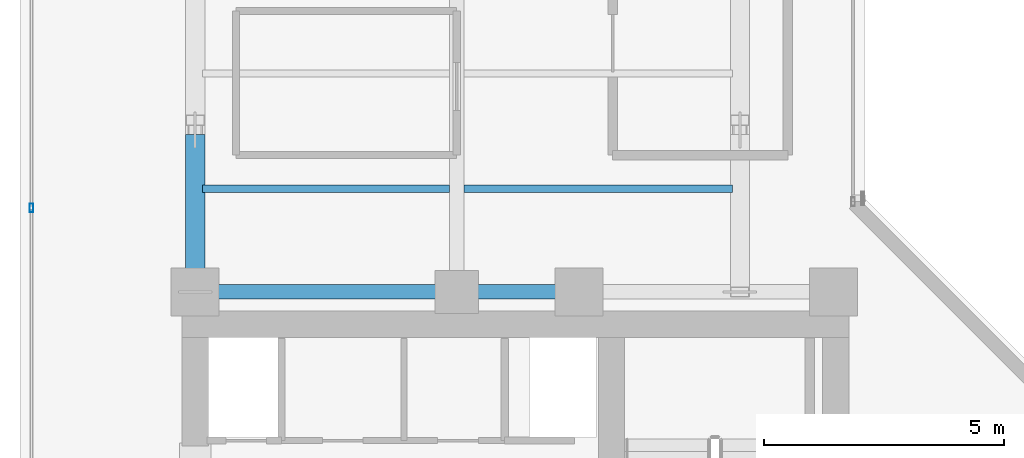
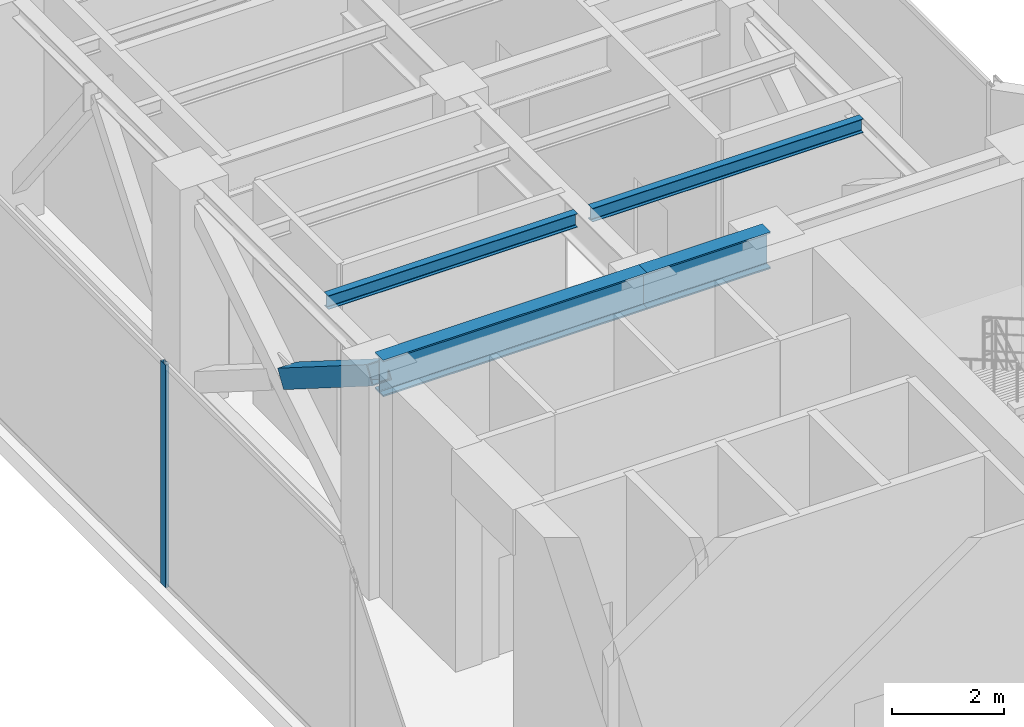
# One storey, part 9 of 31: 4 beams, 2 members, 1 element without a shape of its own.
"""IFC4 building model written with IfcOpenShell, lengths in metres."""

from ifc_helpers import new_model, si_unit, direction, frame, origin, origin_with_axes, origin_2d, place, context, subcontext, project, spatial, hollow_rectangle, i_section, extrude, source, transform, mapped, material, layer, layer_set, material_profile, profile_set, type_object, element, aggregate, save


model = new_model("IFC4")

# Units and contexts
model_context = context("Model", 3, precision=1e-05, world=origin(), true_north=direction((0.0, 1.0)))
body_context = subcontext(model_context, "Body", "Model", "MODEL_VIEW")
ifc_project = project(units=[si_unit("LENGTHUNIT", "METRE"), si_unit("AREAUNIT", "SQUARE_METRE"), si_unit("VOLUMEUNIT", "CUBIC_METRE"), si_unit("PLANEANGLEUNIT", "RADIAN"), si_unit("MASSUNIT", "GRAM", prefix="KILO")], contexts=[model_context])

# Site, building, storey
site_placement = place(None, origin())
site = spatial("IfcSite", under=ifc_project, at=site_placement, CompositionType="ELEMENT")
building_placement = place(site_placement, origin())
building = spatial("IfcBuilding", under=site, at=building_placement, Name="Kolvaren Waterfront Exchange", CompositionType="ELEMENT")
storey_placement = place(building_placement, frame((0.0, 0.0, 257.699951171875)))
storey = spatial("IfcBuildingStorey", under=building, at=storey_placement, Name="L66", CompositionType="ELEMENT", Elevation=257.699951171875)

# Beams
ifc_material_1 = material(Name="Steel S355", Category="steel")
ifc_material_profile_1 = material_profile(ifc_material_1, i_section(OverallWidth=0.300048828125, OverallDepth=0.800048828125, WebThickness=0.017578125, FlangeThickness=0.032958984375, FilletRadius=0.030029296875, at=origin_2d()), Name="HEB800")
ifc_profile_set_1 = profile_set([ifc_material_profile_1], Name="Steel S355")
beam_type_1 = type_object("IfcBeamType", Name="STR-BM-HEB800", PredefinedType="BEAM", material=ifc_profile_set_1)
beam_1_placement = place(storey_placement, frame((7.449951171875, 24.449951171875, 4.4599609375), z_axis=(1.0, 0.0, 0.0), x_axis=(0.0, 1.0, 0.0)))
element("IfcBeam", 1, at=beam_1_placement, inside=storey, type_object=beam_type_1, Name="L66 north-arm girder 1A", PredefinedType="BEAM", context=body_context, shape_type="SweptSolid", body=[
    extrude(i_section(OverallWidth=0.300048828125, OverallDepth=0.800048828125, WebThickness=0.017578125, FlangeThickness=0.032958984375, FilletRadius=0.030029296875, at=origin_2d()), origin(), (0.0, 0.0, 1.0), 5.449951171875),
])
beam_2_placement = place(storey_placement, frame((12.89990234375, 24.449951171875, 4.4599609375), z_axis=(1.0, 0.0, 0.0), x_axis=(0.0, 1.0, 0.0)))
element("IfcBeam", 2, at=beam_2_placement, inside=storey, type_object=beam_type_1, Name="L66 north-arm girder 1B", PredefinedType="BEAM", context=body_context, shape_type="SweptSolid", body=[
    extrude(i_section(OverallWidth=0.300048828125, OverallDepth=0.800048828125, WebThickness=0.017578125, FlangeThickness=0.032958984375, FilletRadius=0.030029296875, at=origin_2d()), origin(), (0.0, 0.0, 1.0), 2.550048828125),
])
ifc_material_profile_2 = material_profile(ifc_material_1, i_section(OverallWidth=0.14990234375, OverallDepth=0.300048828125, WebThickness=0.007080078125, FlangeThickness=0.0107421875, FilletRadius=0.014892578125, at=origin_2d()), Name="IPE300")
ifc_profile_set_2 = profile_set([ifc_material_profile_2], Name="Steel S355")
beam_type_2 = type_object("IfcBeamType", Name="STR-BM-IPE300", PredefinedType="JOIST", material=ifc_profile_set_2)
beam_3_placement = place(storey_placement, frame((7.60205078125, 26.60009765625, 4.7099609375), z_axis=(1.0, 0.0, 0.0), x_axis=(0.0, 1.0, 0.0)))
element("IfcBeam", 3, at=beam_3_placement, inside=storey, type_object=beam_type_2, Name="L66 north-arm composite joist 1A", PredefinedType="JOIST", context=body_context, shape_type="SweptSolid", body=[
    extrude(i_section(OverallWidth=0.14990234375, OverallDepth=0.300048828125, WebThickness=0.007080078125, FlangeThickness=0.0107421875, FilletRadius=0.014892578125, at=origin_2d()), origin(), (0.0, 0.0, 1.0), 5.14599609375),
])
beam_4_placement = place(storey_placement, frame((13.052001953125, 26.60009765625, 4.7099609375), z_axis=(1.0, 0.0, 0.0), x_axis=(0.0, 1.0, 0.0)))
element("IfcBeam", 4, at=beam_4_placement, inside=storey, type_object=beam_type_2, Name="L66 north-arm composite joist 1B", PredefinedType="JOIST", context=body_context, shape_type="SweptSolid", body=[
    extrude(i_section(OverallWidth=0.14990234375, OverallDepth=0.300048828125, WebThickness=0.007080078125, FlangeThickness=0.0107421875, FilletRadius=0.014892578125, at=origin_2d()), origin(), (0.0, 0.0, 1.0), 5.595947265625),
])

# Member
ifc_material_2 = material(Name="Steel S460", Category="steel")
ifc_material_profile_3 = material_profile(ifc_material_2, hollow_rectangle(XDim=0.39990234375, YDim=0.39990234375, WallThickness=0.02001953125, at=origin_2d()), Name="SHS400x400x20")
ifc_profile_set_3 = profile_set([ifc_material_profile_3], Name="Steel S460")
member_type_1 = type_object("IfcMemberType", Name="STR-BR-SHS400", PredefinedType="BRACE", material=ifc_profile_set_3)
member_1_placement = place(storey_placement, frame((7.449951171875, 27.6220703125, 2.508056640625), z_axis=(0.0, -0.845668261927, 0.533708900778), x_axis=(1.0, 0.0, 0.0)))
element("IfcMember", 5, at=member_1_placement, inside=storey, type_object=member_type_1, Name="L66 outrigger split diagonal OA3.2B", PredefinedType="BRACE", context=body_context, shape_type="SweptSolid", body=[
    extrude(hollow_rectangle(XDim=0.39990234375, YDim=0.39990234375, WallThickness=0.02001953125, at=origin_2d()), origin(), (0.0, 0.0, 1.0), 3.7509765625),
])

# Curtain wall, member
ifc_material_3 = material(Name="Anodised dark bronze spandrel aluminium", Category="aluminium")
ifc_layer = layer(ifc_material_3, 0.219970703125, Name="Anodised dark bronze spandrel aluminium")
ifc_layer_set = layer_set([ifc_layer], Name="Anodised dark bronze spandrel aluminium")
curtain_wall_type = type_object("IfcCurtainWallType", Name="ARC-CW-SYS6", PredefinedType="USERDEFINED", material=ifc_layer_set)
curtain_wall_placement = place(storey_placement, origin())
curtain_wall = element("IfcCurtainWall", 6, at=curtain_wall_placement, inside=storey, type_object=curtain_wall_type, Name="L66 stick curtain wall CW6 (CW-L66-W)", ObjectType="STICK CURTAIN WALL", PredefinedType="USERDEFINED")
ifc_material_4 = material(Name="Anodised bronze aluminium 6063-T6", Category="aluminium")
ifc_material_profile_4 = material_profile(ifc_material_4, hollow_rectangle(XDim=0.074951171875, YDim=0.179931640625, WallThickness=0.00439453125, at=origin_2d()), Name="ALU-MUL-180x75x4.5")
ifc_profile_set_4 = profile_set([ifc_material_profile_4], Name="Anodised bronze aluminium 6063-T6")
member_type_2 = type_object("IfcMemberType", Name="ARC-CWM-180", PredefinedType="MULLION", material=ifc_profile_set_4)
shared_shape = source(origin_with_axes(), body_context, "Body", "SweptSolid", [
    extrude(hollow_rectangle(XDim=0.074951171875, YDim=0.179931640625, WallThickness=0.00439453125, at=origin_2d()), origin(), (0.0, 0.0, 1.0), 4.860107421875),
])
member_2_placement = place(storey_placement, frame((4.0400390625, 26.199951171875, 0.0), z_axis=(0.0, 0.0, 1.0), x_axis=(-1.0, 0.0, 0.0)))
member_2 = element("IfcMember", 7, at=member_2_placement, type_object=member_type_2, Name="CW6 mullion 4", PredefinedType="MULLION", context=body_context, shape_type="MappedRepresentation", body=[
    mapped(shared_shape, transform((0.0, 0.0, 0.0), x_axis=(1.0, 0.0, 0.0), y_axis=(0.0, 1.0, 0.0), z_axis=(0.0, 0.0, 1.0), scale=1.0)),
])
aggregate(curtain_wall, [member_2])

save(model, "model.ifc")
